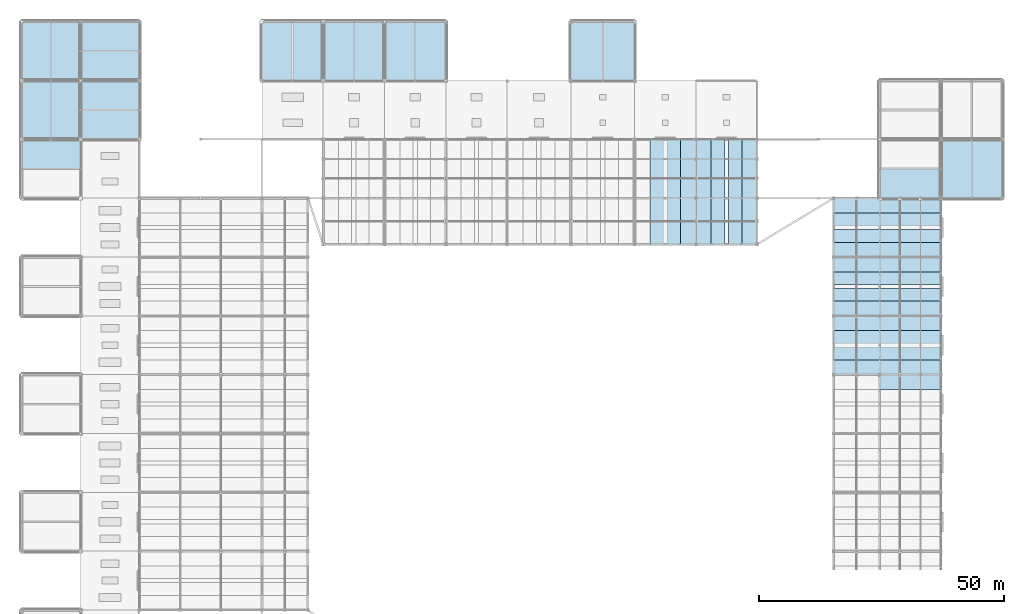
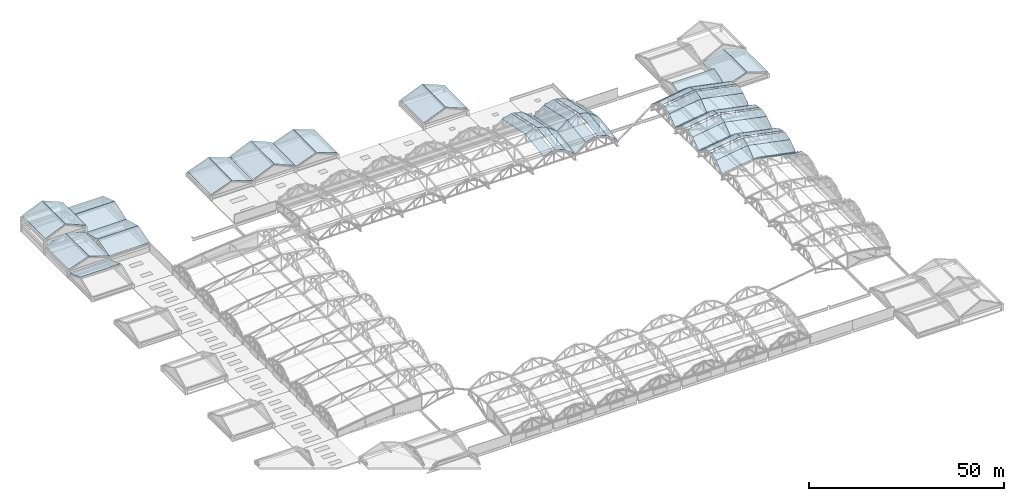
# One storey, part 114 of 117: 59 roofs.
"""IFC4 building model written with IfcOpenShell, lengths in metres."""

from ifc_helpers import new_model, si_unit, direction, frame, origin, place, context, subcontext, project, spatial, polyline, outline, extrude, material, layer, layer_set, type_object, element, save


model = new_model("IFC4")

# Units and contexts
model_context = context("Model", 3, precision=1e-05, world=origin(), true_north=direction((0.0, 1.0)))
body_context = subcontext(model_context, "Body", "Model", "MODEL_VIEW")
ifc_project = project(units=[si_unit("LENGTHUNIT", "METRE"), si_unit("AREAUNIT", "SQUARE_METRE"), si_unit("VOLUMEUNIT", "CUBIC_METRE"), si_unit("PLANEANGLEUNIT", "RADIAN"), si_unit("MASSUNIT", "GRAM", prefix="KILO")], contexts=[model_context])

# Site, building, storey
site_placement = place(None, origin())
site = spatial("IfcSite", under=ifc_project, at=site_placement, CompositionType="ELEMENT")
building_placement = place(site_placement, origin())
building = spatial("IfcBuilding", under=site, at=building_placement, Name="Kazenohara Klinker Stadium", CompositionType="ELEMENT")
storey_placement = place(building_placement, frame((0.0, 0.0, 31.199951171875)))
storey = spatial("IfcBuildingStorey", under=building, at=storey_placement, Name="RF", CompositionType="ELEMENT", Elevation=31.199951171875)

# Roofs
ifc_material = material(Name="Patina copper standing seam roofing", Category="metal")
ifc_layer = layer(ifc_material, 0.080078125)
ifc_layer_set = layer_set([ifc_layer], Name="Patina copper standing seam roofing")
roof_type = type_object("IfcRoofType", Name="ROOF-BARREL-01", PredefinedType="BARREL_ROOF", material=ifc_layer_set)
roof_1_placement = place(storey_placement, frame((187.5, 93.0, 4.949951171875), z_axis=(0.157309989565, 0.616913235459, 0.771149549114), x_axis=(-0.979820137796, -4.552066e-06, 0.199881208592)))
element("IfcRoof", 1, at=roof_1_placement, inside=storey, type_object=roof_type, Name="Scalloped copper barrel-arch roof shell E-04 outer strip 4", PredefinedType="BARREL_ROOF", context=body_context, shape_type="SweptSolid", body=[
    extrude(outline(polyline([(0.0, 0.0), (12.757458564187477, 0.0), (12.287314428552751, -3.735553885654568), (-0.4700953365115346, -3.735406311607867), (0.0, 0.0)])), origin(), (0.0, 0.0, -1.0), 0.080078125),
])
roof_2_placement = place(storey_placement, frame((175.0, 96.06005859375, 5.14794921875), z_axis=(-0.1114348372, -0.620820003285, 0.775992783845), x_axis=(-0.989845879347, 0.0, -0.142144768244)))
element("IfcRoof", 2, at=roof_2_placement, inside=storey, type_object=roof_type, Name="Scalloped copper barrel-arch roof shell E-05 inner strip 1", PredefinedType="BARREL_ROOF", context=body_context, shape_type="SweptSolid", body=[
    extrude(outline(polyline([(0.0, 0.0), (9.496329216369972, 1.1102230246251565e-16), (9.16199750317222, -3.750149417731541), (-0.3343317131977522, -3.7501494177315413), (0.0, 0.0)])), origin(), (0.0, 0.0, -1.0), 0.080078125),
])
roof_3_placement = place(storey_placement, frame((187.5, 96.06005859375, 2.59814453125), z_axis=(0.157309989565, -0.616913235459, 0.771149549114), x_axis=(-0.979821564179, -4.552084e-06, 0.199874216321)))
element("IfcRoof", 3, at=roof_3_placement, inside=storey, type_object=roof_type, Name="Scalloped copper barrel-arch roof shell E-05 outer strip 1", PredefinedType="BARREL_ROOF", context=body_context, shape_type="SweptSolid", body=[
    extrude(outline(polyline([(0.0, 0.0), (12.757409765917833, 2.220446049250313e-16), (13.227510689708229, -3.7355593238967684), (0.4700521263743014, -3.7354117492855825), (0.0, 0.0)])), origin(), (0.0, 0.0, -1.0), 0.080078125),
])
roof_4_placement = place(storey_placement, frame((175.0, 99.0, 7.5), z_axis=(-0.136061259308, -0.289700944037, 0.947396800047), x_axis=(-0.989844222428, 3.528061e-06, -0.142156305924)))
element("IfcRoof", 4, at=roof_4_placement, inside=storey, type_object=roof_type, Name="Scalloped copper barrel-arch roof shell E-05 inner strip 2", PredefinedType="BARREL_ROOF", context=body_context, shape_type="SweptSolid", body=[
    extrude(outline(polyline([(0.0, 0.0), (9.496329215665769, 1.1102230246251565e-16), (9.382641165120983, -2.733138275735066), (-0.11372275667416151, -2.7332082853263064), (0.0, 0.0)])), origin(), (0.0, 0.0, -1.0), 0.080078125),
])
roof_5_placement = place(storey_placement, frame((187.5, 99.0, 4.949951171875), z_axis=(0.191474785602, -0.287049883254, 0.938583917933), x_axis=(-0.979818977014, 0.0, 0.199886898729)))
element("IfcRoof", 5, at=roof_5_placement, inside=storey, type_object=roof_type, Name="Scalloped copper barrel-arch roof shell E-05 outer strip 2", PredefinedType="BARREL_ROOF", context=body_context, shape_type="SweptSolid", body=[
    extrude(outline(polyline([(0.0, 0.0), (12.757458564534776, 0.0), (12.917377843620228, -2.73089476800433), (0.15991927908545273, -2.73089476800433), (0.0, 0.0)])), origin(), (0.0, 0.0, -1.0), 0.080078125),
])
roof_6_placement = place(storey_placement, frame((175.0, 102.384033203125, 8.300048828125), z_axis=(-0.136061259308, 0.289700944037, 0.947396800047), x_axis=(-0.989843918815, 3.528048e-06, -0.142158419982)))
element("IfcRoof", 6, at=roof_6_placement, inside=storey, type_object=roof_type, Name="Scalloped copper barrel-arch roof shell E-05 inner strip 3", PredefinedType="BARREL_ROOF", context=body_context, shape_type="SweptSolid", body=[
    extrude(outline(polyline([(0.0, 0.0), (9.49636392205321, 0.0), (9.61007212197998, -2.733137437523795), (0.11374290657227543, -2.733207446859171), (0.0, 0.0)])), origin(), (0.0, 0.0, -1.0), 0.080078125),
])
roof_7_placement = place(storey_placement, frame((187.5, 102.384033203125, 5.75), z_axis=(0.191474785602, 0.287049883254, 0.938583917933), x_axis=(-0.979818977014, 0.0, 0.199886898729)))
element("IfcRoof", 7, at=roof_7_placement, inside=storey, type_object=roof_type, Name="Scalloped copper barrel-arch roof shell E-05 outer strip 3", PredefinedType="BARREL_ROOF", context=body_context, shape_type="SweptSolid", body=[
    extrude(outline(polyline([(0.0, 0.0), (12.757458564534776, 0.0), (12.597539285449324, -2.7308947680043296), (-0.15991927908545273, -2.73089476800433), (0.0, 0.0)])), origin(), (0.0, 0.0, -1.0), 0.080078125),
])
roof_8_placement = place(storey_placement, frame((175.0, 105.0, 7.5), z_axis=(-0.1114348372, 0.620820003285, 0.775992783845), x_axis=(-0.989845879347, 0.0, -0.142144768244)))
element("IfcRoof", 8, at=roof_8_placement, inside=storey, type_object=roof_type, Name="Scalloped copper barrel-arch roof shell E-05 inner strip 4", PredefinedType="BARREL_ROOF", context=body_context, shape_type="SweptSolid", body=[
    extrude(outline(polyline([(0.0, 0.0), (9.496329216369972, -1.1102230246251565e-16), (9.830660929567724, -3.7501494177315413), (0.3343317131977522, -3.7501494177315413), (0.0, 0.0)])), origin(), (0.0, 0.0, -1.0), 0.080078125),
])
roof_9_placement = place(storey_placement, frame((187.5, 105.0, 4.949951171875), z_axis=(0.157309989565, 0.616913235459, 0.771149549114), x_axis=(-0.979820137796, -4.552066e-06, 0.199881208592)))
element("IfcRoof", 9, at=roof_9_placement, inside=storey, type_object=roof_type, Name="Scalloped copper barrel-arch roof shell E-05 outer strip 4", PredefinedType="BARREL_ROOF", context=body_context, shape_type="SweptSolid", body=[
    extrude(outline(polyline([(0.0, 0.0), (12.757458564187477, 0.0), (12.287314428552751, -3.735553885654568), (-0.4700953365115346, -3.735406311607867), (0.0, 0.0)])), origin(), (0.0, 0.0, -1.0), 0.080078125),
])
roof_10_placement = place(storey_placement, frame((175.0, 108.06005859375, 5.14794921875), z_axis=(-0.1114348372, -0.620820003285, 0.775992783845), x_axis=(-0.989845879347, 0.0, -0.142144768244)))
element("IfcRoof", 10, at=roof_10_placement, inside=storey, type_object=roof_type, Name="Scalloped copper barrel-arch roof shell E-06 inner strip 1", PredefinedType="BARREL_ROOF", context=body_context, shape_type="SweptSolid", body=[
    extrude(outline(polyline([(0.0, 0.0), (9.496329216369972, 1.1102230246251565e-16), (9.16199750317222, -3.750149417731541), (-0.3343317131977522, -3.7501494177315413), (0.0, 0.0)])), origin(), (0.0, 0.0, -1.0), 0.080078125),
])
roof_11_placement = place(storey_placement, frame((187.5, 108.06005859375, 2.59814453125), z_axis=(0.157309989565, -0.616913235459, 0.771149549114), x_axis=(-0.979821564179, -4.552084e-06, 0.199874216321)))
element("IfcRoof", 11, at=roof_11_placement, inside=storey, type_object=roof_type, Name="Scalloped copper barrel-arch roof shell E-06 outer strip 1", PredefinedType="BARREL_ROOF", context=body_context, shape_type="SweptSolid", body=[
    extrude(outline(polyline([(0.0, 0.0), (12.757409765917833, 2.220446049250313e-16), (13.227510689708229, -3.7355593238967684), (0.4700521263743014, -3.7354117492855825), (0.0, 0.0)])), origin(), (0.0, 0.0, -1.0), 0.080078125),
])
roof_12_placement = place(storey_placement, frame((175.0, 111.0, 7.5), z_axis=(-0.136061259308, -0.289700944037, 0.947396800047), x_axis=(-0.989844222428, 3.528061e-06, -0.142156305924)))
element("IfcRoof", 12, at=roof_12_placement, inside=storey, type_object=roof_type, Name="Scalloped copper barrel-arch roof shell E-06 inner strip 2", PredefinedType="BARREL_ROOF", context=body_context, shape_type="SweptSolid", body=[
    extrude(outline(polyline([(0.0, 0.0), (9.496329215665769, 1.1102230246251565e-16), (9.382641165120983, -2.733138275735066), (-0.11372275667416151, -2.7332082853263064), (0.0, 0.0)])), origin(), (0.0, 0.0, -1.0), 0.080078125),
])
roof_13_placement = place(storey_placement, frame((187.5, 111.0, 4.949951171875), z_axis=(0.191474785602, -0.287049883254, 0.938583917933), x_axis=(-0.979818977014, 0.0, 0.199886898729)))
element("IfcRoof", 13, at=roof_13_placement, inside=storey, type_object=roof_type, Name="Scalloped copper barrel-arch roof shell E-06 outer strip 2", PredefinedType="BARREL_ROOF", context=body_context, shape_type="SweptSolid", body=[
    extrude(outline(polyline([(0.0, 0.0), (12.757458564534776, 0.0), (12.917377843620228, -2.73089476800433), (0.15991927908545273, -2.73089476800433), (0.0, 0.0)])), origin(), (0.0, 0.0, -1.0), 0.080078125),
])
roof_14_placement = place(storey_placement, frame((175.0, 114.384033203125, 8.300048828125), z_axis=(-0.136061259308, 0.289700944037, 0.947396800047), x_axis=(-0.989843918815, 3.528048e-06, -0.142158419982)))
element("IfcRoof", 14, at=roof_14_placement, inside=storey, type_object=roof_type, Name="Scalloped copper barrel-arch roof shell E-06 inner strip 3", PredefinedType="BARREL_ROOF", context=body_context, shape_type="SweptSolid", body=[
    extrude(outline(polyline([(0.0, 0.0), (9.49636392205321, 0.0), (9.61007212197998, -2.733137437523795), (0.11374290657227543, -2.733207446859171), (0.0, 0.0)])), origin(), (0.0, 0.0, -1.0), 0.080078125),
])
roof_15_placement = place(storey_placement, frame((187.5, 114.384033203125, 5.75), z_axis=(0.191474785602, 0.287049883254, 0.938583917933), x_axis=(-0.979818977014, 0.0, 0.199886898729)))
element("IfcRoof", 15, at=roof_15_placement, inside=storey, type_object=roof_type, Name="Scalloped copper barrel-arch roof shell E-06 outer strip 3", PredefinedType="BARREL_ROOF", context=body_context, shape_type="SweptSolid", body=[
    extrude(outline(polyline([(0.0, 0.0), (12.757458564534776, 0.0), (12.597539285449324, -2.7308947680043296), (-0.15991927908545273, -2.73089476800433), (0.0, 0.0)])), origin(), (0.0, 0.0, -1.0), 0.080078125),
])
roof_16_placement = place(storey_placement, frame((175.0, 117.0, 7.5), z_axis=(-0.1114348372, 0.620820003285, 0.775992783845), x_axis=(-0.989845879347, 0.0, -0.142144768244)))
element("IfcRoof", 16, at=roof_16_placement, inside=storey, type_object=roof_type, Name="Scalloped copper barrel-arch roof shell E-06 inner strip 4", PredefinedType="BARREL_ROOF", context=body_context, shape_type="SweptSolid", body=[
    extrude(outline(polyline([(0.0, 0.0), (9.496329216369972, -1.1102230246251565e-16), (9.830660929567724, -3.7501494177315413), (0.3343317131977522, -3.7501494177315413), (0.0, 0.0)])), origin(), (0.0, 0.0, -1.0), 0.080078125),
])
roof_17_placement = place(storey_placement, frame((187.5, 117.0, 4.949951171875), z_axis=(0.157309989565, 0.616913235459, 0.771149549114), x_axis=(-0.979820137796, -4.552066e-06, 0.199881208592)))
element("IfcRoof", 17, at=roof_17_placement, inside=storey, type_object=roof_type, Name="Scalloped copper barrel-arch roof shell E-06 outer strip 4", PredefinedType="BARREL_ROOF", context=body_context, shape_type="SweptSolid", body=[
    extrude(outline(polyline([(0.0, 0.0), (12.757458564187477, 0.0), (12.287314428552751, -3.735553885654568), (-0.4700953365115346, -3.735406311607867), (0.0, 0.0)])), origin(), (0.0, 0.0, -1.0), 0.080078125),
])
roof_18_placement = place(storey_placement, frame((175.0, 120.06005859375, 5.14794921875), z_axis=(-0.1114348372, -0.620820003285, 0.775992783845), x_axis=(-0.989845879347, 0.0, -0.142144768244)))
element("IfcRoof", 18, at=roof_18_placement, inside=storey, type_object=roof_type, Name="Scalloped copper barrel-arch roof shell E-07 inner strip 1", PredefinedType="BARREL_ROOF", context=body_context, shape_type="SweptSolid", body=[
    extrude(outline(polyline([(0.0, 0.0), (9.496329216369972, 1.1102230246251565e-16), (9.16199750317222, -3.750149417731541), (-0.3343317131977522, -3.7501494177315413), (0.0, 0.0)])), origin(), (0.0, 0.0, -1.0), 0.080078125),
])
roof_19_placement = place(storey_placement, frame((187.5, 120.06005859375, 2.59814453125), z_axis=(0.157309989565, -0.616913235459, 0.771149549114), x_axis=(-0.979821564179, -4.552084e-06, 0.199874216321)))
element("IfcRoof", 19, at=roof_19_placement, inside=storey, type_object=roof_type, Name="Scalloped copper barrel-arch roof shell E-07 outer strip 1", PredefinedType="BARREL_ROOF", context=body_context, shape_type="SweptSolid", body=[
    extrude(outline(polyline([(0.0, 0.0), (12.757409765917833, 2.220446049250313e-16), (13.227510689708229, -3.7355593238967684), (0.4700521263743014, -3.7354117492855825), (0.0, 0.0)])), origin(), (0.0, 0.0, -1.0), 0.080078125),
])
roof_20_placement = place(storey_placement, frame((175.0, 123.0, 7.5), z_axis=(-0.136061259308, -0.289700944037, 0.947396800047), x_axis=(-0.989844222428, 3.528061e-06, -0.142156305924)))
element("IfcRoof", 20, at=roof_20_placement, inside=storey, type_object=roof_type, Name="Scalloped copper barrel-arch roof shell E-07 inner strip 2", PredefinedType="BARREL_ROOF", context=body_context, shape_type="SweptSolid", body=[
    extrude(outline(polyline([(0.0, 0.0), (9.496329215665769, 1.1102230246251565e-16), (9.382641165120983, -2.733138275735066), (-0.11372275667416151, -2.7332082853263064), (0.0, 0.0)])), origin(), (0.0, 0.0, -1.0), 0.080078125),
])
roof_21_placement = place(storey_placement, frame((187.5, 123.0, 4.949951171875), z_axis=(0.191474785602, -0.287049883254, 0.938583917933), x_axis=(-0.979818977014, 0.0, 0.199886898729)))
element("IfcRoof", 21, at=roof_21_placement, inside=storey, type_object=roof_type, Name="Scalloped copper barrel-arch roof shell E-07 outer strip 2", PredefinedType="BARREL_ROOF", context=body_context, shape_type="SweptSolid", body=[
    extrude(outline(polyline([(0.0, 0.0), (12.757458564534776, 0.0), (12.917377843620228, -2.73089476800433), (0.15991927908545273, -2.73089476800433), (0.0, 0.0)])), origin(), (0.0, 0.0, -1.0), 0.080078125),
])
roof_22_placement = place(storey_placement, frame((175.0, 126.384033203125, 8.300048828125), z_axis=(-0.136061259308, 0.289700944037, 0.947396800047), x_axis=(-0.989843918815, 3.528048e-06, -0.142158419982)))
element("IfcRoof", 22, at=roof_22_placement, inside=storey, type_object=roof_type, Name="Scalloped copper barrel-arch roof shell E-07 inner strip 3", PredefinedType="BARREL_ROOF", context=body_context, shape_type="SweptSolid", body=[
    extrude(outline(polyline([(0.0, 0.0), (9.49636392205321, 0.0), (9.61007212197998, -2.733137437523795), (0.11374290657227543, -2.733207446859171), (0.0, 0.0)])), origin(), (0.0, 0.0, -1.0), 0.080078125),
])
roof_23_placement = place(storey_placement, frame((187.5, 126.384033203125, 5.75), z_axis=(0.191474785602, 0.287049883254, 0.938583917933), x_axis=(-0.979818977014, 0.0, 0.199886898729)))
element("IfcRoof", 23, at=roof_23_placement, inside=storey, type_object=roof_type, Name="Scalloped copper barrel-arch roof shell E-07 outer strip 3", PredefinedType="BARREL_ROOF", context=body_context, shape_type="SweptSolid", body=[
    extrude(outline(polyline([(0.0, 0.0), (12.757458564534776, 0.0), (12.597539285449324, -2.7308947680043296), (-0.15991927908545273, -2.73089476800433), (0.0, 0.0)])), origin(), (0.0, 0.0, -1.0), 0.080078125),
])
roof_24_placement = place(storey_placement, frame((175.0, 129.0, 7.5), z_axis=(-0.1114348372, 0.620820003285, 0.775992783845), x_axis=(-0.989845879347, 0.0, -0.142144768244)))
element("IfcRoof", 24, at=roof_24_placement, inside=storey, type_object=roof_type, Name="Scalloped copper barrel-arch roof shell E-07 inner strip 4", PredefinedType="BARREL_ROOF", context=body_context, shape_type="SweptSolid", body=[
    extrude(outline(polyline([(0.0, 0.0), (9.496329216369972, -1.1102230246251565e-16), (9.830660929567724, -3.7501494177315413), (0.3343317131977522, -3.7501494177315413), (0.0, 0.0)])), origin(), (0.0, 0.0, -1.0), 0.080078125),
])
roof_25_placement = place(storey_placement, frame((187.5, 129.0, 4.949951171875), z_axis=(0.157309989565, 0.616913235459, 0.771149549114), x_axis=(-0.979820137796, -4.552066e-06, 0.199881208592)))
element("IfcRoof", 25, at=roof_25_placement, inside=storey, type_object=roof_type, Name="Scalloped copper barrel-arch roof shell E-07 outer strip 4", PredefinedType="BARREL_ROOF", context=body_context, shape_type="SweptSolid", body=[
    extrude(outline(polyline([(0.0, 0.0), (12.757458564187477, 0.0), (12.287314428552751, -3.735553885654568), (-0.4700953365115346, -3.735406311607867), (0.0, 0.0)])), origin(), (0.0, 0.0, -1.0), 0.080078125),
])
roof_26_placement = place(storey_placement, frame((128.125, 132.0, 7.5), z_axis=(-0.279019930215, -0.136511627499, 0.950532721215), x_axis=(3.409232e-06, -0.989844211441, -0.142156382431)))
element("IfcRoof", 26, at=roof_26_placement, inside=storey, type_object=roof_type, Name="Scalloped copper barrel-arch roof shell N-06 inner strip 2", PredefinedType="BARREL_ROOF", context=body_context, shape_type="SweptSolid", body=[
    extrude(outline(polyline([(0.0, 0.0), (9.496329215661099, -1.1102230246251565e-16), (9.382641165125596, 2.8377666901893592), (-0.11372275668355664, 2.837834118589799), (0.0, 0.0)])), origin(), (0.0, 0.0, -1.0), 0.080078125),
])
roof_27_placement = place(storey_placement, frame((128.125, 144.0, 4.949951171875), z_axis=(-0.276017021215, 0.199787674479, 0.94015928923), x_axis=(0.0, -0.978158041674, 0.207862563991)))
element("IfcRoof", 27, at=roof_27_placement, inside=storey, type_object=roof_type, Name="Scalloped copper barrel-arch roof shell N-06 outer strip 2", PredefinedType="BARREL_ROOF", context=body_context, shape_type="SweptSolid", body=[
    extrude(outline(polyline([(0.0, 0.0), (12.267956187801687, 1.1102230246251565e-16), (12.434256388533697, 2.8352388976451213), (0.16630020073201093, 2.8352388976451213), (0.0, 0.0)])), origin(), (0.0, 0.0, -1.0), 0.080078125),
])
roof_28_placement = place(storey_placement, frame((131.64990234375, 132.0, 8.300048828125), z_axis=(0.279019930215, -0.136511627499, 0.950532721215), x_axis=(3.40922e-06, -0.989843929803, -0.142158343476)))
element("IfcRoof", 28, at=roof_28_placement, inside=storey, type_object=roof_type, Name="Scalloped copper barrel-arch roof shell N-06 inner strip 3", PredefinedType="BARREL_ROOF", context=body_context, shape_type="SweptSolid", body=[
    extrude(outline(polyline([(0.0, 0.0), (9.496363922048538, 5.551115123125783e-17), (9.610072121984706, 2.8377658828821857), (0.11374290656299219, 2.8378333110361944), (0.0, 0.0)])), origin(), (0.0, 0.0, -1.0), 0.080078125),
])
roof_29_placement = place(storey_placement, frame((131.64990234375, 144.0, 5.75), z_axis=(0.276017021215, 0.199787674479, 0.94015928923), x_axis=(0.0, -0.978158041674, 0.207862563991)))
element("IfcRoof", 29, at=roof_29_placement, inside=storey, type_object=roof_type, Name="Scalloped copper barrel-arch roof shell N-06 outer strip 3", PredefinedType="BARREL_ROOF", context=body_context, shape_type="SweptSolid", body=[
    extrude(outline(polyline([(0.0, 0.0), (12.267956187801687, -1.1102230246251565e-16), (12.101655987069677, 2.8352388976451213), (-0.16630020073201093, 2.8352388976451213), (0.0, 0.0)])), origin(), (0.0, 0.0, -1.0), 0.080078125),
])
roof_30_placement = place(storey_placement, frame((134.375, 132.0, 7.5), z_axis=(0.605193292064, -0.11315840291, 0.787995085702), x_axis=(0.0, -0.989845879347, -0.142144768244)))
element("IfcRoof", 30, at=roof_30_placement, inside=storey, type_object=roof_type, Name="Scalloped copper barrel-arch roof shell N-06 inner strip 4", PredefinedType="BARREL_ROOF", context=body_context, shape_type="SweptSolid", body=[
    extrude(outline(polyline([(0.0, 0.0), (9.496329216369972, 2.220446049250313e-16), (9.830660929567724, 3.846982120198766), (0.3343317131977522, 3.846982120198766), (0.0, 0.0)])), origin(), (0.0, 0.0, -1.0), 0.080078125),
])
roof_31_placement = place(storey_placement, frame((134.375, 144.0, 4.949951171875), z_axis=(0.600615995654, 0.166186330342, 0.782075782372), x_axis=(-4.673945e-06, -0.978159334952, 0.207856477947)))
element("IfcRoof", 31, at=roof_31_placement, inside=storey, type_object=roof_type, Name="Scalloped copper barrel-arch roof shell N-06 outer strip 4", PredefinedType="BARREL_ROOF", context=body_context, shape_type="SweptSolid", body=[
    extrude(outline(polyline([(0.0, 0.0), (12.267956187430222, 0.0), (11.779052882130824, 3.8304076384285626), (-0.48885255908896436, 3.8302642064544115), (0.0, 0.0)])), origin(), (0.0, 0.0, -1.0), 0.080078125),
])
roof_32_placement = place(storey_placement, frame((137.5625, 132.0, 5.14794921875), z_axis=(-0.605193292064, -0.11315840291, 0.787995085702), x_axis=(0.0, -0.989845879347, -0.142144768244)))
element("IfcRoof", 32, at=roof_32_placement, inside=storey, type_object=roof_type, Name="Scalloped copper barrel-arch roof shell N-07 inner strip 1", PredefinedType="BARREL_ROOF", context=body_context, shape_type="SweptSolid", body=[
    extrude(outline(polyline([(0.0, 0.0), (9.496329216369972, -2.220446049250313e-16), (9.16199750317222, 3.846982120198766), (-0.3343317131977522, 3.846982120198766), (0.0, 0.0)])), origin(), (0.0, 0.0, -1.0), 0.080078125),
])
roof_33_placement = place(storey_placement, frame((137.5625, 144.0, 2.59814453125), z_axis=(-0.600615995654, 0.166186330342, 0.782075782372), x_axis=(-4.673964e-06, -0.978160794535, 0.207849609123)))
element("IfcRoof", 33, at=roof_33_placement, inside=storey, type_object=roof_type, Name="Scalloped copper barrel-arch roof shell N-07 outer strip 1", PredefinedType="BARREL_ROOF", context=body_context, shape_type="SweptSolid", body=[
    extrude(outline(polyline([(0.0, 0.0), (12.267905442058264, 0.0), (12.756763963564547, 3.8304133542498056), (0.4888077769728044, 3.8302699216823575), (0.0, 0.0)])), origin(), (0.0, 0.0, -1.0), 0.080078125),
])
roof_34_placement = place(storey_placement, frame((140.625, 132.0, 7.5), z_axis=(-0.279019930215, -0.136511627499, 0.950532721215), x_axis=(3.409232e-06, -0.989844211441, -0.142156382431)))
element("IfcRoof", 34, at=roof_34_placement, inside=storey, type_object=roof_type, Name="Scalloped copper barrel-arch roof shell N-07 inner strip 2", PredefinedType="BARREL_ROOF", context=body_context, shape_type="SweptSolid", body=[
    extrude(outline(polyline([(0.0, 0.0), (9.496329215661099, -1.1102230246251565e-16), (9.382641165125596, 2.8377666901893592), (-0.11372275668355664, 2.837834118589799), (0.0, 0.0)])), origin(), (0.0, 0.0, -1.0), 0.080078125),
])
roof_35_placement = place(storey_placement, frame((140.625, 144.0, 4.949951171875), z_axis=(-0.276017021215, 0.199787674479, 0.94015928923), x_axis=(0.0, -0.978158041674, 0.207862563991)))
element("IfcRoof", 35, at=roof_35_placement, inside=storey, type_object=roof_type, Name="Scalloped copper barrel-arch roof shell N-07 outer strip 2", PredefinedType="BARREL_ROOF", context=body_context, shape_type="SweptSolid", body=[
    extrude(outline(polyline([(0.0, 0.0), (12.267956187801687, 1.1102230246251565e-16), (12.434256388533697, 2.8352388976451213), (0.16630020073201093, 2.8352388976451213), (0.0, 0.0)])), origin(), (0.0, 0.0, -1.0), 0.080078125),
])
roof_36_placement = place(storey_placement, frame((144.14990234375, 132.0, 8.300048828125), z_axis=(0.279019930215, -0.136511627499, 0.950532721215), x_axis=(3.40922e-06, -0.989843929803, -0.142158343476)))
element("IfcRoof", 36, at=roof_36_placement, inside=storey, type_object=roof_type, Name="Scalloped copper barrel-arch roof shell N-07 inner strip 3", PredefinedType="BARREL_ROOF", context=body_context, shape_type="SweptSolid", body=[
    extrude(outline(polyline([(0.0, 0.0), (9.496363922048538, 5.551115123125783e-17), (9.610072121984706, 2.8377658828821857), (0.11374290656299219, 2.8378333110361944), (0.0, 0.0)])), origin(), (0.0, 0.0, -1.0), 0.080078125),
])
roof_37_placement = place(storey_placement, frame((144.14990234375, 144.0, 5.75), z_axis=(0.276017021215, 0.199787674479, 0.94015928923), x_axis=(0.0, -0.978158041674, 0.207862563991)))
element("IfcRoof", 37, at=roof_37_placement, inside=storey, type_object=roof_type, Name="Scalloped copper barrel-arch roof shell N-07 outer strip 3", PredefinedType="BARREL_ROOF", context=body_context, shape_type="SweptSolid", body=[
    extrude(outline(polyline([(0.0, 0.0), (12.267956187801687, -1.1102230246251565e-16), (12.101655987069677, 2.8352388976451213), (-0.16630020073201093, 2.8352388976451213), (0.0, 0.0)])), origin(), (0.0, 0.0, -1.0), 0.080078125),
])
roof_38_placement = place(storey_placement, frame((146.875, 132.0, 7.5), z_axis=(0.605193292064, -0.11315840291, 0.787995085702), x_axis=(0.0, -0.989845879347, -0.142144768244)))
element("IfcRoof", 38, at=roof_38_placement, inside=storey, type_object=roof_type, Name="Scalloped copper barrel-arch roof shell N-07 inner strip 4", PredefinedType="BARREL_ROOF", context=body_context, shape_type="SweptSolid", body=[
    extrude(outline(polyline([(0.0, 0.0), (9.496329216369972, 2.220446049250313e-16), (9.830660929567724, 3.846982120198766), (0.3343317131977522, 3.846982120198766), (0.0, 0.0)])), origin(), (0.0, 0.0, -1.0), 0.080078125),
])
roof_39_placement = place(storey_placement, frame((146.875, 144.0, 4.949951171875), z_axis=(0.600615995654, 0.166186330342, 0.782075782372), x_axis=(-4.673945e-06, -0.978159334952, 0.207856477947)))
element("IfcRoof", 39, at=roof_39_placement, inside=storey, type_object=roof_type, Name="Scalloped copper barrel-arch roof shell N-07 outer strip 4", PredefinedType="BARREL_ROOF", context=body_context, shape_type="SweptSolid", body=[
    extrude(outline(polyline([(0.0, 0.0), (12.267956187430222, 0.0), (11.779052882130824, 3.8304076384285626), (-0.48885255908896436, 3.8302642064544115), (0.0, 0.0)])), origin(), (0.0, 0.0, -1.0), 0.080078125),
])
for number, where, z_axis, x_axis, name in (
    (40, (0.0, 156.0, 5.050048828125), (-0.387637256982, 0.0, 0.921811996559), (0.921811996559, 0.0, 0.387637256982), "Patina copper pitched turret crown roof GT1-NW-A"),
    (41, (6.054931640625, 156.0, 7.550048828125), (0.387637256982, 0.0, 0.921811996559), (0.921811996559, 0.0, -0.387637256982), "Patina copper pitched turret crown roof GT1-NW-B"),
):
    element("IfcRoof", number, at=place(storey_placement, frame(where, z_axis=z_axis, x_axis=x_axis)), inside=storey, type_object=roof_type, Name=name, PredefinedType="BARREL_ROOF", context=body_context, shape_type="SweptSolid", body=[
        extrude(outline(polyline([(0.0, 0.0), (6.449328476488212, 0.0), (6.449328476488212, 11.999999999999998), (0.0, 11.999999999999998), (0.0, 0.0)])), origin(), (0.0, 0.0, -1.0), 0.080078125),
    ])
for number, where, z_axis, x_axis, name in (
    (42, (12.0, 156.0, 2.75), (0.0, -0.31885382794, 0.947803901874), (1.0, 0.0, 0.0), "Patina copper pitched turret crown roof GT1-NE-A"),
    (43, (12.0, 162.054931640625, 4.75), (0.0, 0.31885382794, 0.947803901874), (1.0, 0.0, 0.0), "Patina copper pitched turret crown roof GT1-NE-B"),
):
    element("IfcRoof", number, at=place(storey_placement, frame(where, z_axis=z_axis, x_axis=x_axis)), inside=storey, type_object=roof_type, Name=name, PredefinedType="BARREL_ROOF", context=body_context, shape_type="SweptSolid", body=[
        extrude(outline(polyline([(0.0, 0.0), (12.0, 0.0), (12.0, 6.272466643804632), (0.0, 6.272466643804632), (0.0, 0.0)])), origin(), (0.0, 0.0, -1.0), 0.080078125),
    ])
for number, where, z_axis, x_axis, name in (
    (44, (0.0, 144.0, 2.75), (-0.31885382794, 0.0, 0.947803901874), (0.947803901874, 0.0, 0.31885382794), "Patina copper pitched turret crown roof GT1-SW-A"),
    (45, (6.054931640625, 144.0, 4.75), (0.31885382794, 0.0, 0.947803901874), (0.947803901874, 0.0, -0.31885382794), "Patina copper pitched turret crown roof GT1-SW-B"),
):
    element("IfcRoof", number, at=place(storey_placement, frame(where, z_axis=z_axis, x_axis=x_axis)), inside=storey, type_object=roof_type, Name=name, PredefinedType="BARREL_ROOF", context=body_context, shape_type="SweptSolid", body=[
        extrude(outline(polyline([(0.0, 0.0), (6.272466643804632, 0.0), (6.272466643804632, 12.0), (0.0, 12.0), (0.0, 0.0)])), origin(), (0.0, 0.0, -1.0), 0.080078125),
    ])
for number, where, z_axis, x_axis, name in (
    (46, (12.0, 144.0, 2.75), (0.0, -0.259898101031, 0.96563604794), (1.0, 0.0, 0.0), "Patina copper pitched turret crown roof GT1-SE-A"),
    (47, (12.0, 150.054931640625, 4.35009765625), (0.0, 0.259898101031, 0.96563604794), (1.0, 0.0, 0.0), "Patina copper pitched turret crown roof GT1-SE-B"),
):
    element("IfcRoof", number, at=place(storey_placement, frame(where, z_axis=z_axis, x_axis=x_axis)), inside=storey, type_object=roof_type, Name=name, PredefinedType="BARREL_ROOF", context=body_context, shape_type="SweptSolid", body=[
        extrude(outline(polyline([(0.0, 0.0), (12.0, 0.0), (12.0, 6.1566346576013835), (0.0, 6.1566346576013835), (0.0, 0.0)])), origin(), (0.0, 0.0, -1.0), 0.080078125),
    ])
for number, where, z_axis, x_axis, name in (
    (48, (187.5, 132.0, 1.75), (-0.327886632517, 0.0, 0.944717077339), (0.944717077339, 0.0, 0.327886632517), "Patina copper pitched turret crown roof GT3-SE-A"),
    (49, (193.804931640625, 132.0, 3.900146484375), (0.327886632517, 0.0, 0.944717077339), (0.944717077339, 0.0, -0.327886632517), "Patina copper pitched turret crown roof GT3-SE-B"),
):
    element("IfcRoof", number, at=place(storey_placement, frame(where, z_axis=z_axis, x_axis=x_axis)), inside=storey, type_object=roof_type, Name=name, PredefinedType="BARREL_ROOF", context=body_context, shape_type="SweptSolid", body=[
        extrude(outline(polyline([(0.0, 0.0), (6.557591164566409, 0.0), (6.557591164566409, 12.000000000000004), (0.0, 12.000000000000004), (0.0, 0.0)])), origin(), (0.0, 0.0, -1.0), 0.080078125),
    ])
roof_40_placement = place(storey_placement, frame((175.0, 132.0, 1.550048828125), z_axis=(0.0, -0.31885382794, 0.947803901874), x_axis=(1.0, 0.0, 0.0)))
element("IfcRoof", 50, at=roof_40_placement, inside=storey, type_object=roof_type, Name="Patina copper pitched turret crown roof GT3-SW-A", PredefinedType="BARREL_ROOF", context=body_context, shape_type="SweptSolid", body=[
    extrude(outline(polyline([(0.0, 0.0), (12.5, 0.0), (12.5, 6.272466643804632), (0.0, 6.272466643804632), (0.0, 0.0)])), origin(), (0.0, 0.0, -1.0), 0.080078125),
])
roof_41_placement = place(storey_placement, frame((0.0, 138.054931640625, 3.949951171875), z_axis=(0.0, 0.360787792609, 0.932647933952), x_axis=(1.0, 0.0, 0.0)))
element("IfcRoof", 51, at=roof_41_placement, inside=storey, type_object=roof_type, Name="Patina copper pitched turret crown roof WBST-11-B", PredefinedType="BARREL_ROOF", context=body_context, shape_type="SweptSolid", body=[
    extrude(outline(polyline([(0.0, 0.0), (12.0, 0.0), (12.0, 6.374397179207516), (0.0, 6.374397179207516), (0.0, 0.0)])), origin(), (0.0, 0.0, -1.0), 0.080078125),
])
for number, where, z_axis, x_axis, name in (
    (52, (49.0, 156.0, 1.650146484375), (-0.341374244267, 0.0, 0.939927457494), (0.939927457494, 0.0, 0.341374244267), "Patina copper pitched turret crown roof NBST-04-A"),
    (53, (55.304931640625, 156.0, 3.900146484375), (0.341374244267, 0.0, 0.939927457494), (0.939927457494, 0.0, -0.341374244267), "Patina copper pitched turret crown roof NBST-04-B"),
):
    element("IfcRoof", number, at=place(storey_placement, frame(where, z_axis=z_axis, x_axis=x_axis)), inside=storey, type_object=roof_type, Name=name, PredefinedType="BARREL_ROOF", context=body_context, shape_type="SweptSolid", body=[
        extrude(outline(polyline([(0.0, 0.0), (6.591006901629617, 0.0), (6.591006901629617, 12.0), (0.0, 12.0), (0.0, 0.0)])), origin(), (0.0, 0.0, -1.0), 0.080078125),
    ])
for number, where, z_axis, x_axis, name in (
    (54, (61.5, 156.0, 2.050048828125), (-0.393276373301, 0.0, 0.919420303345), (0.919420303345, 0.0, 0.393276373301), "Patina copper pitched turret crown roof NBST-05-A"),
    (55, (67.804931640625, 156.0, 4.699951171875), (0.393276373301, 0.0, 0.919420303345), (0.919420303345, 0.0, -0.393276373301), "Patina copper pitched turret crown roof NBST-05-B"),
):
    element("IfcRoof", number, at=place(storey_placement, frame(where, z_axis=z_axis, x_axis=x_axis)), inside=storey, type_object=roof_type, Name=name, PredefinedType="BARREL_ROOF", context=body_context, shape_type="SweptSolid", body=[
        extrude(outline(polyline([(0.0, 0.0), (6.73801561357207, 0.0), (6.73801561357207, 12.0), (0.0, 12.0), (0.0, 0.0)])), origin(), (0.0, 0.0, -1.0), 0.080078125),
    ])
for number, where, z_axis, x_axis, name in (
    (56, (74.0, 156.0, 1.650146484375), (-0.341374244267, 0.0, 0.939927457494), (0.939927457494, 0.0, 0.341374244267), "Patina copper pitched turret crown roof NBST-06-A"),
    (57, (80.304931640625, 156.0, 3.900146484375), (0.341374244267, 0.0, 0.939927457494), (0.939927457494, 0.0, -0.341374244267), "Patina copper pitched turret crown roof NBST-06-B"),
):
    element("IfcRoof", number, at=place(storey_placement, frame(where, z_axis=z_axis, x_axis=x_axis)), inside=storey, type_object=roof_type, Name=name, PredefinedType="BARREL_ROOF", context=body_context, shape_type="SweptSolid", body=[
        extrude(outline(polyline([(0.0, 0.0), (6.591006901629617, 0.0), (6.591006901629617, 12.0), (0.0, 12.0), (0.0, 0.0)])), origin(), (0.0, 0.0, -1.0), 0.080078125),
    ])
for number, where, z_axis, x_axis, name in (
    (58, (112.0, 156.0, 2.050048828125), (-0.380265177247, 0.0, 0.924877502685), (0.924877502685, 0.0, 0.380265177247), "Patina copper pitched turret crown roof NBST-09-A"),
    (59, (118.554931640625, 156.0, 4.699951171875), (0.380265177247, 0.0, 0.924877502685), (0.924877502685, 0.0, -0.380265177247), "Patina copper pitched turret crown roof NBST-09-B"),
):
    element("IfcRoof", number, at=place(storey_placement, frame(where, z_axis=z_axis, x_axis=x_axis)), inside=storey, type_object=roof_type, Name=name, PredefinedType="BARREL_ROOF", context=body_context, shape_type="SweptSolid", body=[
        extrude(outline(polyline([(0.0, 0.0), (6.968564313287816, 0.0), (6.968564313287816, 12.0), (0.0, 12.0), (0.0, 0.0)])), origin(), (0.0, 0.0, -1.0), 0.080078125),
    ])

save(model, "model.ifc")
